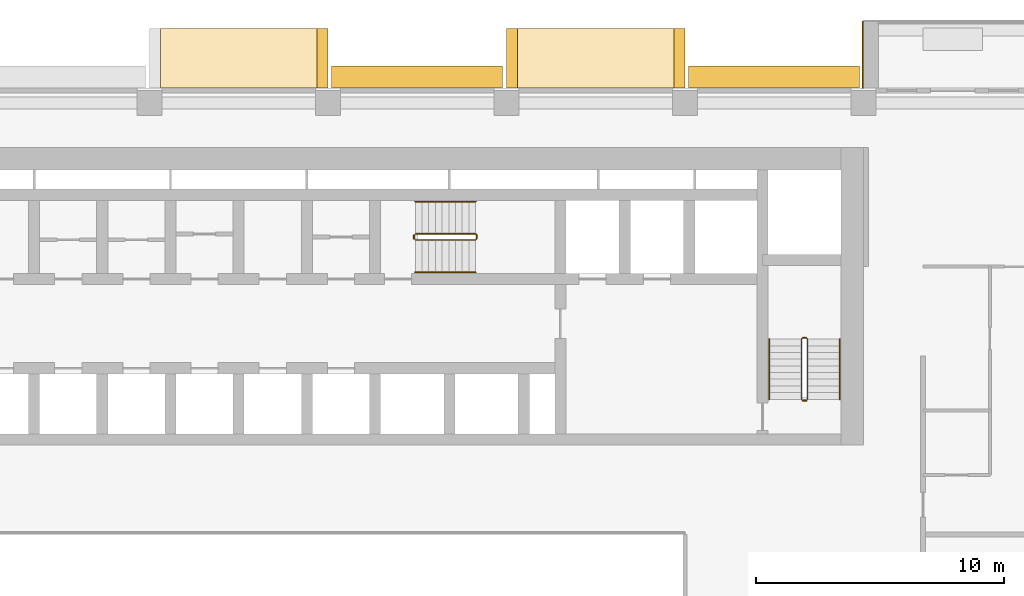
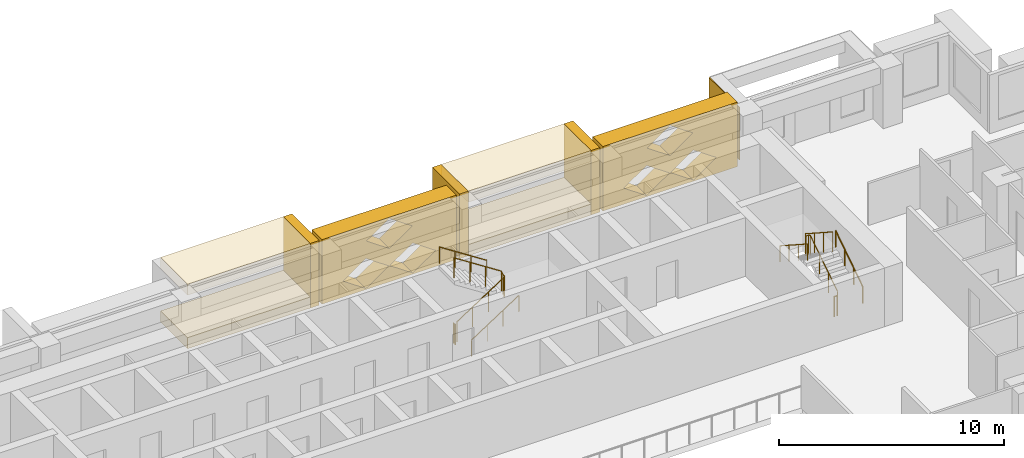
# One storey, part 15 of 16: 10 coverings, 8 railings.
"""IFC4 building model written with IfcOpenShell, lengths in metres."""

from ifc_helpers import new_model, si_unit, direction, frame, origin, origin_2d, place, context, subcontext, project, spatial, polyline, circle, outline, extrude, material, layer, layer_set, type_object, element, save


model = new_model("IFC4")

# Units and contexts
model_context = context("Model", 3, precision=1e-05, world=origin(), true_north=direction((0.0, 1.0)))
body_context = subcontext(model_context, "Body", "Model", "MODEL_VIEW")
ifc_project = project(units=[si_unit("LENGTHUNIT", "METRE"), si_unit("AREAUNIT", "SQUARE_METRE"), si_unit("VOLUMEUNIT", "CUBIC_METRE"), si_unit("PLANEANGLEUNIT", "RADIAN"), si_unit("MASSUNIT", "GRAM", prefix="KILO")], contexts=[model_context])

# Site, building, storey
site_placement = place(None, origin())
site = spatial("IfcSite", under=ifc_project, at=site_placement, CompositionType="ELEMENT")
building_placement = place(site_placement, origin())
building = spatial("IfcBuilding", under=site, at=building_placement, Name="Saffron Iwan Residences", CompositionType="ELEMENT")
storey_placement = place(building_placement, frame((0.0, 0.0, 65.5)))
storey = spatial("IfcBuildingStorey", under=building, at=storey_placement, Name="L16", CompositionType="ELEMENT", Elevation=65.5)

# Coverings
ifc_material_1 = material(Name="Precast concrete C40/50 white painted", Category="concrete")
ifc_layer = layer(ifc_material_1, 0.050048828125)
ifc_layer_set = layer_set([ifc_layer], Name="Precast concrete C40/50 white painted")
covering_type_1 = type_object("IfcCoveringType", Name="FRAME SKIN PRECAST WHITE 50", PredefinedType="CLADDING", material=ifc_layer_set)
covering_1_placement = place(storey_placement, origin())
element("IfcCovering", 1, at=covering_1_placement, inside=storey, type_object=covering_type_1, Name="Frame skin fin L16 F5-0b", PredefinedType="CLADDING", context=body_context, shape_type="SweptSolid", body=[
    extrude(outline(polyline([(72.0, 83.10009765625), (71.949951171875, 83.10009765625), (71.949951171875, 80.39990234375), (72.0, 80.39990234375), (72.0, 83.10009765625)])), origin(), (0.0, 0.0, 1.0), 2.85009765625),
])
ifc_material_2 = material(Name="Precast concrete C40/50", Category="concrete")
covering_type_2 = type_object("IfcCoveringType", Name="OUTER SKIN LATTICE SCREEN", PredefinedType="CLADDING", material=ifc_material_2)
for number, where, z_axis, x_axis, name in (
    (2, (71.85009765625, 80.39990234375, -0.320068359375), (0.0, 1.0, 0.0), (-1.0, 0.0, 0.0), "OUTER SKIN lattice screen L16 F5.1"),
    (3, (57.449951171875, 80.39990234375, -0.320068359375), (0.0, 1.0, 0.0), (-1.0, 0.0, 0.0), "OUTER SKIN lattice screen L16 F5.2"),
):
    element("IfcCovering", number, at=place(storey_placement, frame(where, z_axis=z_axis, x_axis=x_axis)), inside=storey, type_object=covering_type_2, Name=name, PredefinedType="CLADDING", context=body_context, shape_type="SweptSolid", body=[
        extrude(outline(polyline([(0.0, 0.0), (6.89990234375, 0.0), (6.89990234375, 3.5), (0.0, 3.5), (0.0, 0.0)]), holes=[polyline([(1.070068359375, 0.875), (2.25, 0.06005859375), (3.429931640625, 0.875), (2.25, 1.68994140625), (1.070068359375, 0.875)]), polyline([(3.469970703125, 0.875), (4.64990234375, 0.06005859375), (5.830078125, 0.875), (4.64990234375, 1.68994140625), (3.469970703125, 0.875)]), polyline([(2.27001953125, 2.625), (3.449951171875, 1.81005859375), (4.6298828125, 2.625), (3.449951171875, 3.43994140625), (2.27001953125, 2.625)])]), origin(), (0.0, 0.0, 1.0), 0.900146484375),
    ])

# Railings
ifc_material_3 = material(Name="Steel S355", Category="steel")
railing_type_1 = type_object("IfcRailingType", Name="Stair guard 1100", PredefinedType="GUARDRAIL", material=ifc_material_3)
railing_1_placement = place(storey_placement, frame((53.925048828125, 74.27490234375, 0.175048828125)))
element("IfcRailing", 4, at=railing_1_placement, inside=storey, type_object=railing_type_1, Name="L16 ST-C stair guard 1", PredefinedType="GUARDRAIL", context=body_context, shape_type="SweptSolid", body=[
    extrude(circle(Radius=0.02392578125, at=origin_2d()), frame((0.0, 0.0, 1.076171875), z_axis=(0.839153699163, 0.0, 0.543894354798), x_axis=(0.0, 1.0, 0.0)), (0.0, 0.0, 1.0), 2.895751953125),
    extrude(circle(Radius=0.02392578125, at=origin_2d()), frame((2.429931640625, 0.0, 2.65087890625), z_axis=(0.707106781187, 0.707106781187, 0.0), x_axis=(-0.707106781187, 0.707106781187, 0.0)), (0.0, 0.0, 1.0), 0.07080078125),
    extrude(circle(Radius=0.02392578125, at=origin_2d()), frame((2.47998046875, 0.050048828125, 2.65087890625), z_axis=(0.0, 1.0, 0.0), x_axis=(-1.0, 0.0, 0.0)), (0.0, 0.0, 1.0), 0.150146484375),
    extrude(circle(Radius=0.02392578125, at=origin_2d()), frame((2.47998046875, 0.2001953125, 2.65087890625), z_axis=(-0.265155923931, 0.263862480399, 0.927399011991), x_axis=(-0.705375805398, -0.708833529934, 0.0)), (0.0, 0.0, 1.0), 0.188720703125),
    extrude(circle(Radius=0.02392578125, at=origin_2d()), frame((2.429931640625, 0.25, 2.826171875), z_axis=(-0.839153699163, 0.0, 0.543894354798), x_axis=(0.0, -1.0, 0.0)), (0.0, 0.0, 1.0), 2.895751953125),
    extrude(circle(Radius=0.02099609375, at=origin_2d()), origin(), (0.0, 0.0, 1.0), 1.052001953125),
    extrude(circle(Radius=0.02099609375, at=origin_2d()), frame((0.81005859375, 0.0, 0.52490234375)), (0.0, 0.0, 1.0), 1.052001953125),
    extrude(circle(Radius=0.02099609375, at=origin_2d()), frame((1.619873046875, 0.0, 1.050048828125)), (0.0, 0.0, 1.0), 1.052001953125),
    extrude(circle(Radius=0.02099609375, at=origin_2d()), frame((2.429931640625, 0.0, 1.574951171875)), (0.0, 0.0, 1.0), 1.052001953125),
    extrude(circle(Radius=0.02099609375, at=origin_2d()), frame((2.47998046875, 0.050048828125, 1.574951171875)), (0.0, 0.0, 1.0), 1.052001953125),
    extrude(circle(Radius=0.02099609375, at=origin_2d()), frame((2.47998046875, 0.2001953125, 1.574951171875)), (0.0, 0.0, 1.0), 1.052001953125),
    extrude(circle(Radius=0.02099609375, at=origin_2d()), frame((2.429931640625, 0.25, 1.75)), (0.0, 0.0, 1.0), 1.052001953125),
    extrude(circle(Radius=0.02099609375, at=origin_2d()), frame((1.619873046875, 0.25, 2.27490234375)), (0.0, 0.0, 1.0), 1.052001953125),
    extrude(circle(Radius=0.02099609375, at=origin_2d()), frame((0.81005859375, 0.25, 2.800048828125)), (0.0, 0.0, 1.0), 1.052001953125),
    extrude(circle(Radius=0.02099609375, at=origin_2d()), frame((0.0, 0.25, 3.324951171875)), (0.0, 0.0, 1.0), 1.052001953125),
])
railing_2_placement = place(storey_placement, frame((53.875, 74.324951171875, 0.0)))
element("IfcRailing", 5, at=railing_2_placement, inside=storey, type_object=railing_type_1, Name="L16 ST-C stair guard 2", PredefinedType="GUARDRAIL", context=body_context, shape_type="SweptSolid", body=[
    extrude(circle(Radius=0.02392578125, at=origin_2d()), frame((0.0, 0.0, 1.076171875), z_axis=(0.0, 1.0, 0.0), x_axis=(-1.0, 0.0, 0.0)), (0.0, 0.0, 1.0), 0.150146484375),
    extrude(circle(Radius=0.02099609375, at=origin_2d()), origin(), (0.0, 0.0, 1.0), 1.052001953125),
    extrude(circle(Radius=0.02099609375, at=origin_2d()), frame((0.0, 0.150146484375, 0.0)), (0.0, 0.0, 1.0), 1.052001953125),
])
railing_3_placement = place(storey_placement, frame((69.75, 67.85009765625, 0.175048828125)))
element("IfcRailing", 6, at=railing_3_placement, inside=storey, type_object=railing_type_1, Name="L16 ST-E stair guard 1", PredefinedType="GUARDRAIL", context=body_context, shape_type="SweptSolid", body=[
    extrude(circle(Radius=0.02392578125, at=origin_2d()), frame((0.0, 0.0, 1.076171875), z_axis=(0.0, 0.839153699163, 0.543894354798), x_axis=(-1.0, 0.0, 0.0)), (0.0, 0.0, 1.0), 2.895751953125),
    extrude(circle(Radius=0.02392578125, at=origin_2d()), frame((0.0, 2.429931640625, 2.65087890625), z_axis=(-0.707106781187, 0.707106781187, 0.0), x_axis=(-0.707106781187, -0.707106781187, 0.0)), (0.0, 0.0, 1.0), 0.07080078125),
    extrude(circle(Radius=0.02392578125, at=origin_2d()), frame((-0.050048828125, 2.47998046875, 2.65087890625), z_axis=(-1.0, 0.0, 0.0), x_axis=(0.0, -1.0, 0.0)), (0.0, 0.0, 1.0), 0.14990234375),
    extrude(circle(Radius=0.02392578125, at=origin_2d()), frame((-0.199951171875, 2.47998046875, 2.65087890625), z_axis=(-0.265065253269, -0.265065253269, 0.927081885822), x_axis=(0.707106781187, -0.707106781187, 0.0)), (0.0, 0.0, 1.0), 0.188720703125),
    extrude(circle(Radius=0.02392578125, at=origin_2d()), frame((-0.25, 2.429931640625, 2.826171875), z_axis=(0.0, -0.839153699163, 0.543894354798), x_axis=(1.0, 0.0, 0.0)), (0.0, 0.0, 1.0), 2.895751953125),
    extrude(circle(Radius=0.02099609375, at=origin_2d()), origin(), (0.0, 0.0, 1.0), 1.052001953125),
    extrude(circle(Radius=0.02099609375, at=origin_2d()), frame((0.0, 0.81005859375, 0.52490234375)), (0.0, 0.0, 1.0), 1.052001953125),
    extrude(circle(Radius=0.02099609375, at=origin_2d()), frame((0.0, 1.619873046875, 1.050048828125)), (0.0, 0.0, 1.0), 1.052001953125),
    extrude(circle(Radius=0.02099609375, at=origin_2d()), frame((0.0, 2.429931640625, 1.574951171875)), (0.0, 0.0, 1.0), 1.052001953125),
    extrude(circle(Radius=0.02099609375, at=origin_2d()), frame((-0.050048828125, 2.47998046875, 1.574951171875)), (0.0, 0.0, 1.0), 1.052001953125),
    extrude(circle(Radius=0.02099609375, at=origin_2d()), frame((-0.199951171875, 2.47998046875, 1.574951171875)), (0.0, 0.0, 1.0), 1.052001953125),
    extrude(circle(Radius=0.02099609375, at=origin_2d()), frame((-0.25, 2.429931640625, 1.75)), (0.0, 0.0, 1.0), 1.052001953125),
    extrude(circle(Radius=0.02099609375, at=origin_2d()), frame((-0.25, 1.619873046875, 2.27490234375)), (0.0, 0.0, 1.0), 1.052001953125),
    extrude(circle(Radius=0.02099609375, at=origin_2d()), frame((-0.25, 0.81005859375, 2.800048828125)), (0.0, 0.0, 1.0), 1.052001953125),
    extrude(circle(Radius=0.02099609375, at=origin_2d()), frame((-0.25, 0.0, 3.324951171875)), (0.0, 0.0, 1.0), 1.052001953125),
])
railing_4_placement = place(storey_placement, frame((69.699951171875, 67.800048828125, 0.0)))
element("IfcRailing", 7, at=railing_4_placement, inside=storey, type_object=railing_type_1, Name="L16 ST-E stair guard 2", PredefinedType="GUARDRAIL", context=body_context, shape_type="SweptSolid", body=[
    extrude(circle(Radius=0.02392578125, at=origin_2d()), frame((0.0, 0.0, 1.076171875), z_axis=(-1.0, 0.0, 0.0), x_axis=(0.0, -1.0, 0.0)), (0.0, 0.0, 1.0), 0.14990234375),
    extrude(circle(Radius=0.02099609375, at=origin_2d()), origin(), (0.0, 0.0, 1.0), 1.052001953125),
    extrude(circle(Radius=0.02099609375, at=origin_2d()), frame((-0.14990234375, 0.0, 0.0)), (0.0, 0.0, 1.0), 1.052001953125),
])
ifc_material_4 = material(Name="Stainless steel 316", Category="steel")
railing_type_2 = type_object("IfcRailingType", Name="Stair handrail 900", PredefinedType="HANDRAIL", material=ifc_material_4)
railing_5_placement = place(storey_placement, frame((53.925048828125, 72.97509765625, 0.175048828125)))
element("IfcRailing", 8, at=railing_5_placement, inside=storey, type_object=railing_type_2, Name="L16 ST-C stair handrail 1", PredefinedType="HANDRAIL", context=body_context, shape_type="SweptSolid", body=[
    extrude(circle(Radius=0.02392578125, at=origin_2d()), frame((0.0, 0.0, 0.8759765625), z_axis=(0.839153699163, 0.0, 0.543894354798), x_axis=(0.0, 1.0, 0.0)), (0.0, 0.0, 1.0), 2.895751953125),
    extrude(circle(Radius=0.02099609375, at=origin_2d()), origin(), (0.0, 0.0, 1.0), 0.851806640625),
    extrude(circle(Radius=0.02099609375, at=origin_2d()), frame((0.81005859375, 0.0, 0.52490234375)), (0.0, 0.0, 1.0), 0.851806640625),
    extrude(circle(Radius=0.02099609375, at=origin_2d()), frame((1.619873046875, 0.0, 1.050048828125)), (0.0, 0.0, 1.0), 0.851806640625),
    extrude(circle(Radius=0.02099609375, at=origin_2d()), frame((2.429931640625, 0.0, 1.574951171875)), (0.0, 0.0, 1.0), 0.851806640625),
])
railing_6_placement = place(storey_placement, frame((56.35498046875, 75.824951171875, 1.925048828125)))
element("IfcRailing", 9, at=railing_6_placement, inside=storey, type_object=railing_type_2, Name="L16 ST-C stair handrail 2", PredefinedType="HANDRAIL", context=body_context, shape_type="SweptSolid", body=[
    extrude(circle(Radius=0.02392578125, at=origin_2d()), frame((0.0, 0.0, 0.8759765625), z_axis=(-0.839153699163, 0.0, 0.543894354798), x_axis=(0.0, -1.0, 0.0)), (0.0, 0.0, 1.0), 2.895751953125),
    extrude(circle(Radius=0.02099609375, at=origin_2d()), origin(), (0.0, 0.0, 1.0), 0.851806640625),
    extrude(circle(Radius=0.02099609375, at=origin_2d()), frame((-0.81005859375, 0.0, 0.52490234375)), (0.0, 0.0, 1.0), 0.851806640625),
    extrude(circle(Radius=0.02099609375, at=origin_2d()), frame((-1.619873046875, 0.0, 1.050048828125)), (0.0, 0.0, 1.0), 0.851806640625),
    extrude(circle(Radius=0.02099609375, at=origin_2d()), frame((-2.429931640625, 0.0, 1.574951171875)), (0.0, 0.0, 1.0), 0.851806640625),
])
railing_7_placement = place(storey_placement, frame((71.050048828125, 67.85009765625, 0.175048828125)))
element("IfcRailing", 10, at=railing_7_placement, inside=storey, type_object=railing_type_2, Name="L16 ST-E stair handrail 1", PredefinedType="HANDRAIL", context=body_context, shape_type="SweptSolid", body=[
    extrude(circle(Radius=0.02392578125, at=origin_2d()), frame((0.0, 0.0, 0.8759765625), z_axis=(0.0, 0.839153699163, 0.543894354798), x_axis=(-1.0, 0.0, 0.0)), (0.0, 0.0, 1.0), 2.895751953125),
    extrude(circle(Radius=0.02099609375, at=origin_2d()), origin(), (0.0, 0.0, 1.0), 0.851806640625),
    extrude(circle(Radius=0.02099609375, at=origin_2d()), frame((0.0, 0.81005859375, 0.52490234375)), (0.0, 0.0, 1.0), 0.851806640625),
    extrude(circle(Radius=0.02099609375, at=origin_2d()), frame((0.0, 1.619873046875, 1.050048828125)), (0.0, 0.0, 1.0), 0.851806640625),
    extrude(circle(Radius=0.02099609375, at=origin_2d()), frame((0.0, 2.429931640625, 1.574951171875)), (0.0, 0.0, 1.0), 0.851806640625),
])
railing_8_placement = place(storey_placement, frame((68.199951171875, 70.280029296875, 1.925048828125)))
element("IfcRailing", 11, at=railing_8_placement, inside=storey, type_object=railing_type_2, Name="L16 ST-E stair handrail 2", PredefinedType="HANDRAIL", context=body_context, shape_type="SweptSolid", body=[
    extrude(circle(Radius=0.02392578125, at=origin_2d()), frame((0.0, 0.0, 0.8759765625), z_axis=(0.0, -0.839153699163, 0.543894354798), x_axis=(1.0, 0.0, 0.0)), (0.0, 0.0, 1.0), 2.895751953125),
    extrude(circle(Radius=0.02099609375, at=origin_2d()), origin(), (0.0, 0.0, 1.0), 0.851806640625),
    extrude(circle(Radius=0.02099609375, at=origin_2d()), frame((0.0, -0.81005859375, 0.52490234375)), (0.0, 0.0, 1.0), 0.851806640625),
    extrude(circle(Radius=0.02099609375, at=origin_2d()), frame((0.0, -1.619873046875, 1.050048828125)), (0.0, 0.0, 1.0), 0.851806640625),
    extrude(circle(Radius=0.02099609375, at=origin_2d()), frame((0.0, -2.429931640625, 1.574951171875)), (0.0, 0.0, 1.0), 0.851806640625),
])

# Coverings
covering_type_3 = type_object("IfcCoveringType", Name="WHITE SUN FRAME PRECAST", PredefinedType="CLADDING", material=ifc_material_1)
for number, where, z_axis, x_axis, name in (
    (12, (64.800048828125, 80.39990234375, -0.320068359375), (0.0, 1.0, 0.0), (-1.0, 0.0, 0.0), "Sun frame L16 F5 18.0a"),
    (13, (58.050048828125, 80.39990234375, -0.320068359375), (0.0, 1.0, 0.0), (-1.0, 0.0, 0.0), "Sun frame L16 F5 18.0b"),
):
    element("IfcCovering", number, at=place(storey_placement, frame(where, z_axis=z_axis, x_axis=x_axis)), inside=storey, type_object=covering_type_3, Name=name, PredefinedType="CLADDING", context=body_context, shape_type="SweptSolid", body=[
        extrude(outline(polyline([(0.0, 0.0), (0.449951171875, 0.0), (0.449951171875, 3.5), (0.0, 3.5), (0.0, 0.0)])), origin(), (0.0, 0.0, 1.0), 2.400146484375),
    ])
for number, where, z_axis, x_axis, name in (
    (14, (64.35009765625, 80.39990234375, 2.580078125), (0.0, 1.0, 0.0), (-1.0, 0.0, 0.0), "Sun frame L16 F5 18.0h"),
    (15, (64.35009765625, 80.39990234375, -0.320068359375), (0.0, 1.0, 0.0), (-1.0, 0.0, 0.0), "Sun frame L16 F5 18.0s"),
):
    element("IfcCovering", number, at=place(storey_placement, frame(where, z_axis=z_axis, x_axis=x_axis)), inside=storey, type_object=covering_type_3, Name=name, PredefinedType="CLADDING", context=body_context, shape_type="SweptSolid", body=[
        extrude(outline(polyline([(0.0, 0.0), (6.300048828125, 0.0), (6.300048828125, 0.60009765625), (0.0, 0.60009765625), (0.0, 0.0)])), origin(), (0.0, 0.0, 1.0), 2.400146484375),
    ])
covering_2_placement = place(storey_placement, frame((50.39990234375, 80.39990234375, -0.320068359375), z_axis=(0.0, 1.0, 0.0), x_axis=(-1.0, 0.0, 0.0)))
element("IfcCovering", 16, at=covering_2_placement, inside=storey, type_object=covering_type_3, Name="Sun frame L16 F5 32.4a", PredefinedType="CLADDING", context=body_context, shape_type="SweptSolid", body=[
    extrude(outline(polyline([(0.0, 0.0), (0.449951171875, 0.0), (0.449951171875, 3.5), (0.0, 3.5), (0.0, 0.0)])), origin(), (0.0, 0.0, 1.0), 2.400146484375),
])
for number, where, z_axis, x_axis, name in (
    (17, (49.949951171875, 80.39990234375, 2.580078125), (0.0, 1.0, 0.0), (-1.0, 0.0, 0.0), "Sun frame L16 F5 32.4h"),
    (18, (49.949951171875, 80.39990234375, -0.320068359375), (0.0, 1.0, 0.0), (-1.0, 0.0, 0.0), "Sun frame L16 F5 32.4s"),
):
    element("IfcCovering", number, at=place(storey_placement, frame(where, z_axis=z_axis, x_axis=x_axis)), inside=storey, type_object=covering_type_3, Name=name, PredefinedType="CLADDING", context=body_context, shape_type="SweptSolid", body=[
        extrude(outline(polyline([(0.0, 0.0), (6.300048828125, 0.0), (6.300048828125, 0.60009765625), (0.0, 0.60009765625), (0.0, 0.0)])), origin(), (0.0, 0.0, 1.0), 2.400146484375),
    ])

save(model, "model.ifc")
